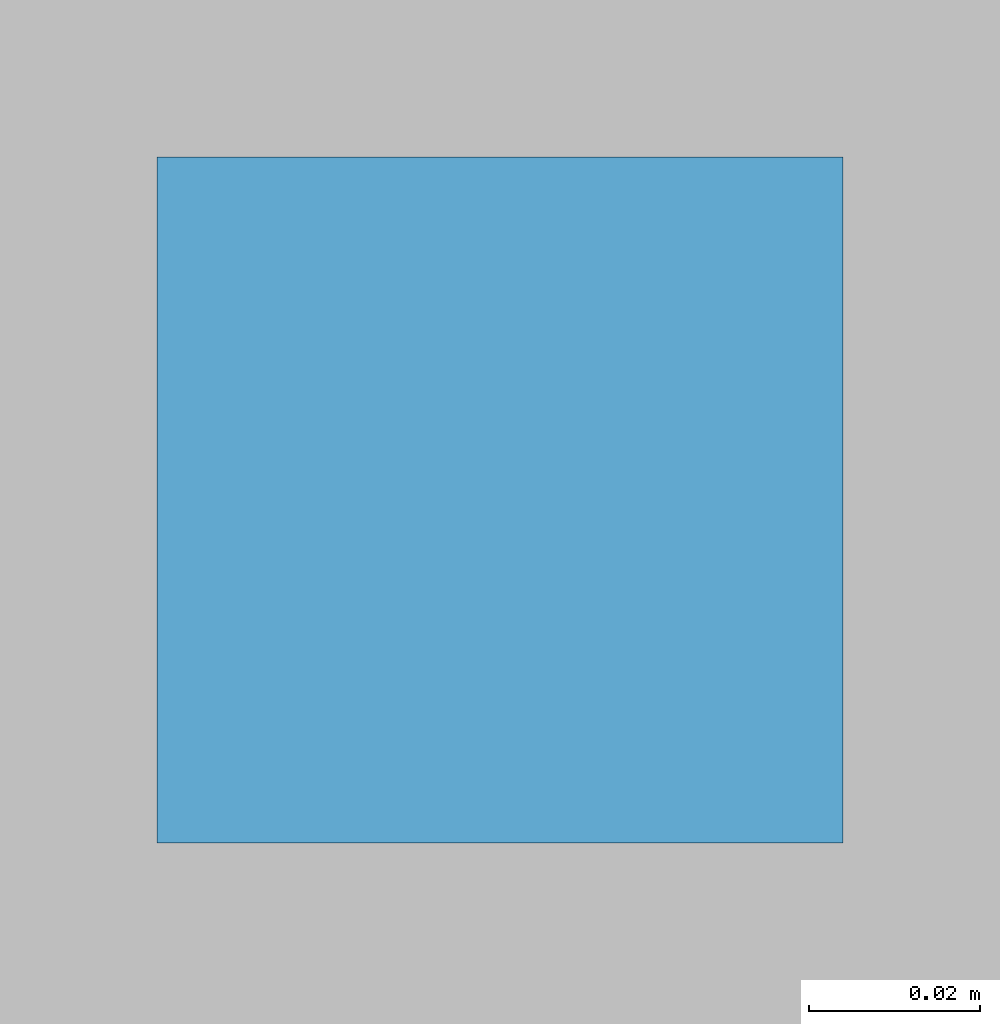
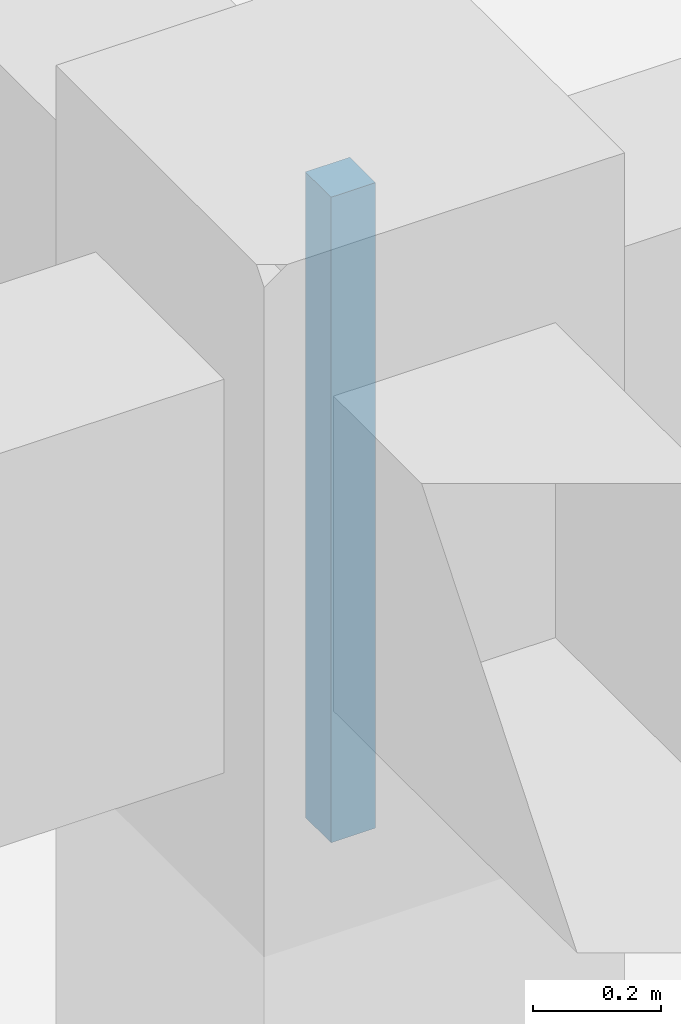
# One storey, part 118 of 126: 1 discrete accessory.
"""IFC4 building model written with IfcOpenShell, lengths in metres."""

from ifc_helpers import new_model, si_unit, direction, frame, origin, origin_2d, place, context, subcontext, project, spatial, rectangle, extrude, material, layer, layer_set, type_object, element, save


model = new_model("IFC4")

# Units and contexts
model_context = context("Model", 3, precision=1e-05, world=origin(), true_north=direction((0.0, 1.0)))
body_context = subcontext(model_context, "Body", "Model", "MODEL_VIEW")
ifc_project = project(units=[si_unit("LENGTHUNIT", "METRE"), si_unit("AREAUNIT", "SQUARE_METRE"), si_unit("VOLUMEUNIT", "CUBIC_METRE"), si_unit("PLANEANGLEUNIT", "RADIAN"), si_unit("MASSUNIT", "GRAM", prefix="KILO")], contexts=[model_context])

# Site, building, storey
site_placement = place(None, origin())
site = spatial("IfcSite", under=ifc_project, at=site_placement, CompositionType="ELEMENT")
building_placement = place(site_placement, origin())
building = spatial("IfcBuilding", under=site, at=building_placement, Name="Varnabhumi Central Station", CompositionType="ELEMENT")
storey_placement = place(building_placement, frame((0.0, 0.0, 16.199951171875)))
storey = spatial("IfcBuildingStorey", under=building, at=storey_placement, Name="L03", CompositionType="ELEMENT", Elevation=16.199951171875)

# Discrete accessory
ifc_material = material(Name="Structural steel E350", Category="steel")
ifc_layer = layer(ifc_material, 0.159912109375, Name="Structural steel E350", Category="steel")
ifc_layer_set = layer_set([ifc_layer], Name="Structural steel E350")
discrete_accessory_type = type_object("IfcDiscreteAccessoryType", Name="ACC-SHADE-BRKT", PredefinedType="BRACKET", material=ifc_layer_set)
discrete_accessory_placement = place(storey_placement, frame((168.0, 27.0, 2.840087890625), z_axis=(0.0, 0.0, 1.0), x_axis=(1.0, 0.0, 0.0)))
element("IfcDiscreteAccessory", 1, at=discrete_accessory_placement, inside=storey, type_object=discrete_accessory_type, Name="Traction Power Supervisory Control Room Ceiling Hanger", PredefinedType="BRACKET", context=body_context, shape_type="SweptSolid", body=[
    extrude(rectangle(XDim=0.080078125, YDim=0.080078125, at=origin_2d()), origin(), (0.0, 0.0, 1.0), 1.22998046875),
])

save(model, "model.ifc")
